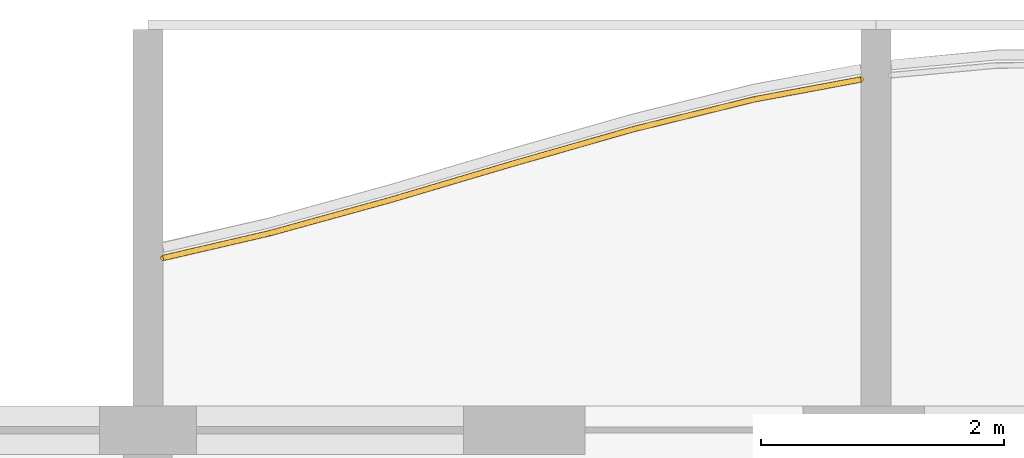
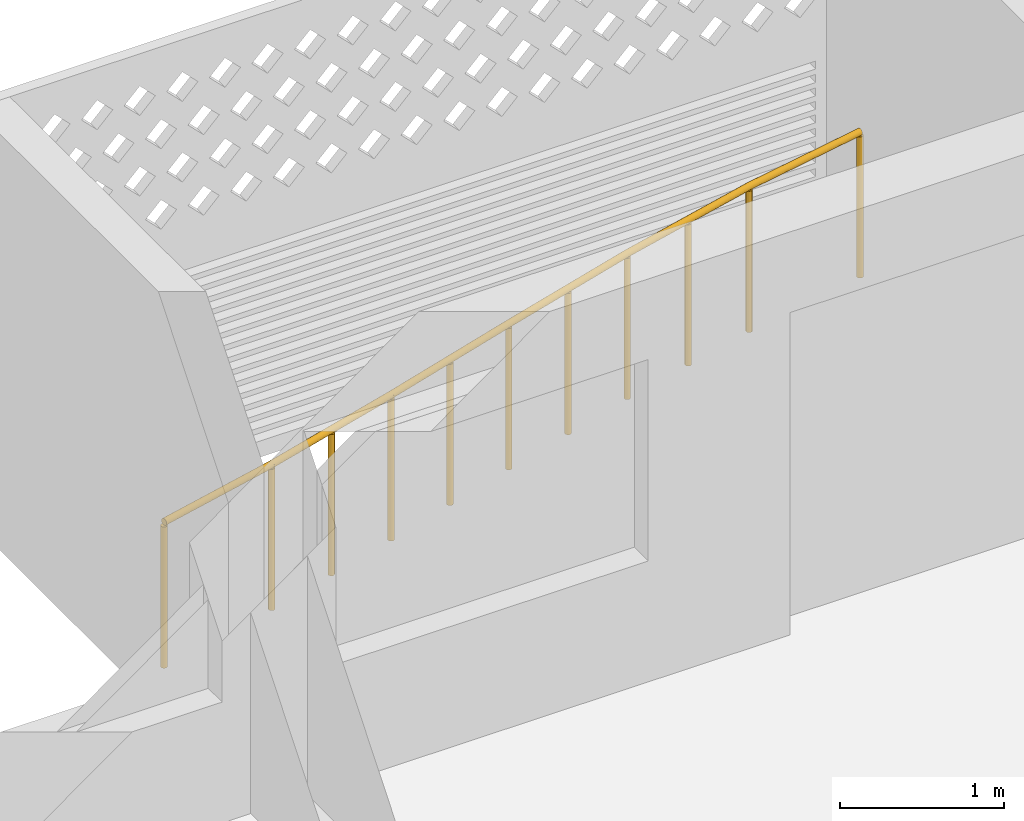
# One storey, part 35 of 38: 1 railing.
"""IFC4 building model written with IfcOpenShell, lengths in metres."""

from ifc_helpers import new_model, si_unit, direction, frame, origin, origin_2d, place, context, subcontext, project, spatial, circle, extrude, material, type_object, element, save


model = new_model("IFC4")

# Units and contexts
model_context = context("Model", 3, precision=1e-05, world=origin(), true_north=direction((0.0, 1.0)))
body_context = subcontext(model_context, "Body", "Model", "MODEL_VIEW")
ifc_project = project(units=[si_unit("LENGTHUNIT", "METRE"), si_unit("AREAUNIT", "SQUARE_METRE"), si_unit("VOLUMEUNIT", "CUBIC_METRE"), si_unit("PLANEANGLEUNIT", "RADIAN"), si_unit("MASSUNIT", "GRAM", prefix="KILO")], contexts=[model_context])

# Site, building, storey
site_placement = place(None, origin())
site = spatial("IfcSite", under=ifc_project, at=site_placement, CompositionType="ELEMENT")
building_placement = place(site_placement, origin())
building = spatial("IfcBuilding", under=site, at=building_placement, Name="Poui Terraces", CompositionType="ELEMENT")
storey_placement = place(building_placement, frame((0.0, 0.0, 49.800048828125)))
storey = spatial("IfcBuildingStorey", under=building, at=storey_placement, Name="L13", CompositionType="ELEMENT", Elevation=49.800048828125)

# Railing
ifc_material = material(Name="Painted steel fretwork", Category="steel")
railing_type = type_object("IfcRailingType", Name="BALCONY GUARD 1100", PredefinedType="GUARDRAIL", material=ifc_material)
railing_placement = place(storey_placement, frame((84.125, 46.21923828125, 0.0)))
element("IfcRailing", 1, at=railing_placement, inside=storey, type_object=railing_type, Name="BALCONY GUARD", PredefinedType="GUARDRAIL", context=body_context, shape_type="SweptSolid", body=[
    extrude(circle(Radius=0.02392578125, at=origin_2d()), frame((0.0, 0.0, 1.076171875), z_axis=(0.974216814209, 0.225613826951, 0.0), x_axis=(-0.225613826951, 0.974216814209, 0.0)), (0.0, 0.0, 1.0), 0.898193359375),
    extrude(circle(Radius=0.02392578125, at=origin_2d()), frame((0.875, 0.20263671875, 1.076171875), z_axis=(0.963988457226, 0.265944081217, 0.0), x_axis=(-0.265944081217, 0.963988457226, 0.0)), (0.0, 0.0, 1.0), 1.037353515625),
    extrude(circle(Radius=0.02392578125, at=origin_2d()), frame((1.875, 0.478515625, 1.076171875), z_axis=(0.958774495191, 0.284168026651, 0.0), x_axis=(-0.284168026651, 0.958774495191, 0.0)), (0.0, 0.0, 1.0), 1.04296875),
    extrude(circle(Radius=0.02392578125, at=origin_2d()), frame((2.875, 0.77490234375, 1.076171875), z_axis=(0.96141758688, 0.275093118121, 0.0), x_axis=(-0.275093118121, 0.96141758688, 0.0)), (0.0, 0.0, 1.0), 1.0400390625),
    extrude(circle(Radius=0.02392578125, at=origin_2d()), frame((3.875, 1.06103515625, 1.076171875), z_axis=(0.970918311966, 0.239411009542, 0.0), x_axis=(-0.239411009542, 0.970918311966, 0.0)), (0.0, 0.0, 1.0), 1.030029296875),
    extrude(circle(Radius=0.02392578125, at=origin_2d()), frame((4.875, 1.3076171875, 1.076171875), z_axis=(0.983119723729, 0.182963408406, 0.0), x_axis=(-0.182963408406, 0.983119723729, 0.0)), (0.0, 0.0, 1.0), 0.89013671875),
    extrude(circle(Radius=0.02099609375, at=origin_2d()), origin(), (0.0, 0.0, 1.0), 1.052001953125),
    extrude(circle(Radius=0.02099609375, at=origin_2d()), frame((0.875, 0.20263671875, 0.0)), (0.0, 0.0, 1.0), 1.052001953125),
    extrude(circle(Radius=0.02099609375, at=origin_2d()), frame((1.375, 0.340576171875, 0.0)), (0.0, 0.0, 1.0), 1.052001953125),
    extrude(circle(Radius=0.02099609375, at=origin_2d()), frame((1.875, 0.478515625, 0.0)), (0.0, 0.0, 1.0), 1.052001953125),
    extrude(circle(Radius=0.02099609375, at=origin_2d()), frame((2.375, 0.626708984375, 0.0)), (0.0, 0.0, 1.0), 1.052001953125),
    extrude(circle(Radius=0.02099609375, at=origin_2d()), frame((2.875, 0.77490234375, 0.0)), (0.0, 0.0, 1.0), 1.052001953125),
    extrude(circle(Radius=0.02099609375, at=origin_2d()), frame((3.375, 0.91796875, 0.0)), (0.0, 0.0, 1.0), 1.052001953125),
    extrude(circle(Radius=0.02099609375, at=origin_2d()), frame((3.875, 1.06103515625, 0.0)), (0.0, 0.0, 1.0), 1.052001953125),
    extrude(circle(Radius=0.02099609375, at=origin_2d()), frame((4.375, 1.184326171875, 0.0)), (0.0, 0.0, 1.0), 1.052001953125),
    extrude(circle(Radius=0.02099609375, at=origin_2d()), frame((4.875, 1.3076171875, 0.0)), (0.0, 0.0, 1.0), 1.052001953125),
    extrude(circle(Radius=0.02099609375, at=origin_2d()), frame((5.75, 1.470458984375, 0.0)), (0.0, 0.0, 1.0), 1.052001953125),
])

save(model, "model.ifc")
